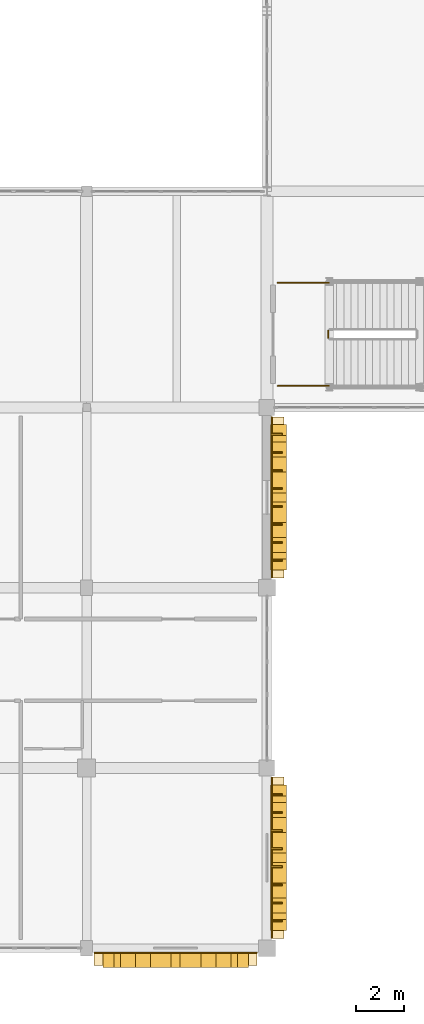
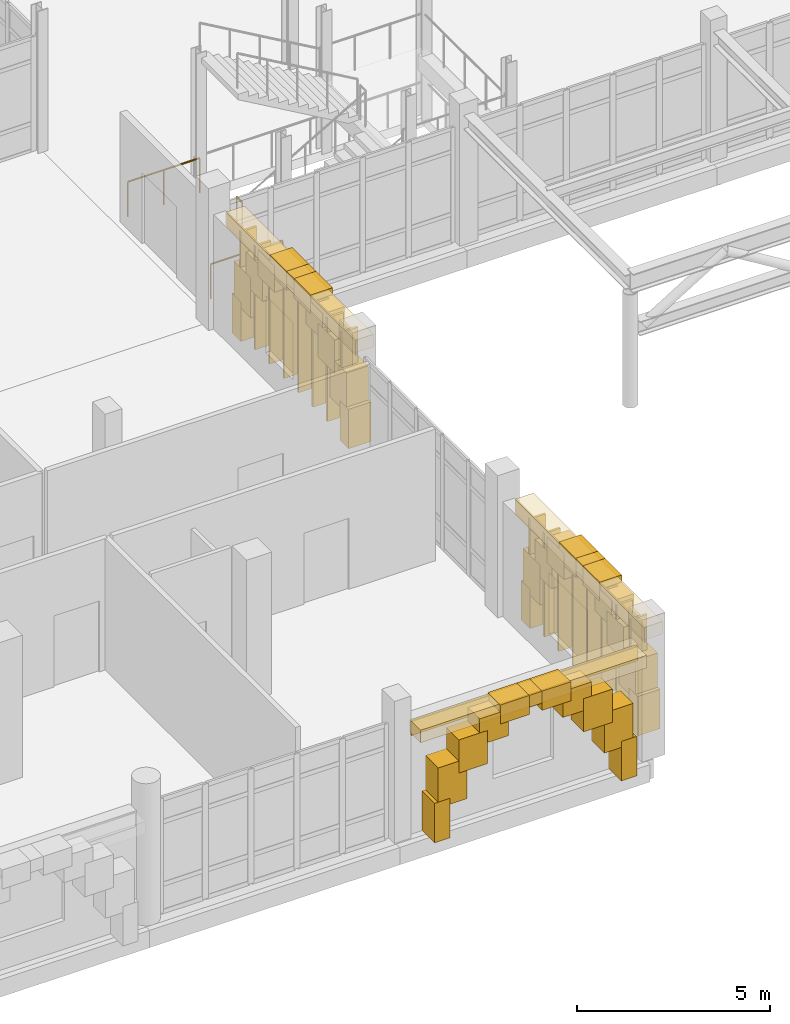
# One storey, part 109 of 128: 39 coverings, 16 shading devices, 3 railings.
"""IFC4 building model written with IfcOpenShell, lengths in metres."""

from ifc_helpers import new_model, si_unit, direction, frame, origin, origin_2d, place, context, subcontext, project, spatial, rectangle, circle, extrude, material, layer, layer_set, type_object, element, save


model = new_model("IFC4")

# Units and contexts
model_context = context("Model", 3, precision=1e-05, world=origin(), true_north=direction((0.0, 1.0)))
body_context = subcontext(model_context, "Body", "Model", "MODEL_VIEW")
ifc_project = project(units=[si_unit("LENGTHUNIT", "METRE"), si_unit("AREAUNIT", "SQUARE_METRE"), si_unit("VOLUMEUNIT", "CUBIC_METRE"), si_unit("PLANEANGLEUNIT", "RADIAN"), si_unit("MASSUNIT", "GRAM", prefix="KILO")], contexts=[model_context])

# Site, building, storey
site_placement = place(None, origin())
site = spatial("IfcSite", under=ifc_project, at=site_placement, CompositionType="ELEMENT")
building_placement = place(site_placement, origin())
building = spatial("IfcBuilding", under=site, at=building_placement, Name="Dalvernix Boulevard General Hospital", CompositionType="ELEMENT")
storey_placement = place(building_placement, frame((0.0, 0.0, 4.800048828125)))
storey = spatial("IfcBuildingStorey", under=building, at=storey_placement, Name="L01", CompositionType="ELEMENT", Elevation=4.800048828125)

# Coverings
ifc_material_1 = material(Name="Pressed Catalan clay brick and dressed limestone parabolic archivolt", Category="masonry")
ifc_layer_1 = layer(ifc_material_1, 0.419921875)
ifc_layer_set_1 = layer_set([ifc_layer_1], Name="Pressed Catalan clay brick and dressed limestone parabolic archivolt (COV-ARC-01)")
covering_type_1 = type_object("IfcCoveringType", Name="COV-ARC-01", PredefinedType="CLADDING", material=ifc_layer_set_1)
for number, where, z_axis, x_axis, name in (
    (1, (59.0, -0.485107421875, 0.0), (0.0, 0.0, 1.0), (-1.0, 0.0, 0.0), "L01 Catalan parabolic arch impost pier S 7-0-L"),
    (2, (53.39990234375, -0.485107421875, 0.0), (0.0, 0.0, 1.0), (-1.0, 0.0, 0.0), "L01 Catalan parabolic arch impost pier S 7-0-R"),
):
    element("IfcCovering", number, at=place(storey_placement, frame(where, z_axis=z_axis, x_axis=x_axis)), inside=storey, type_object=covering_type_1, Name=name, PredefinedType="CLADDING", context=body_context, shape_type="SweptSolid", body=[
        extrude(rectangle(XDim=0.4599609375, YDim=0.659912109375, at=origin_2d()), origin(), (0.0, 0.0, 1.0), 1.25),
    ])
covering_1_placement = place(storey_placement, frame((58.68896484375, -0.485107421875, 1.06005859375), z_axis=(0.0, 0.0, 1.0), x_axis=(-1.0, 0.0, 0.0)))
element("IfcCovering", 3, at=covering_1_placement, inside=storey, type_object=covering_type_1, Name="L01 Catalan parabolic archivolt voussoir S 7-0-1", PredefinedType="CLADDING", context=body_context, shape_type="SweptSolid", body=[
    extrude(rectangle(XDim=0.8623046875, YDim=0.659912109375, at=origin_2d()), origin(), (0.0, 0.0, 1.0), 1.272705078125),
])
covering_2_placement = place(storey_placement, frame((58.066650390625, -0.485107421875, 1.95263671875), z_axis=(0.0, 0.0, 1.0), x_axis=(-1.0, 0.0, 0.0)))
element("IfcCovering", 4, at=covering_2_placement, inside=storey, type_object=covering_type_1, Name="L01 Catalan parabolic archivolt voussoir S 7-0-2", PredefinedType="CLADDING", context=body_context, shape_type="SweptSolid", body=[
    extrude(rectangle(XDim=0.8623046875, YDim=0.659912109375, at=origin_2d()), origin(), (0.0, 0.0, 1.0), 1.049560546875),
])
covering_3_placement = place(storey_placement, frame((57.4443359375, -0.485107421875, 2.62255859375), z_axis=(0.0, 0.0, 1.0), x_axis=(-1.0, 0.0, 0.0)))
element("IfcCovering", 5, at=covering_3_placement, inside=storey, type_object=covering_type_1, Name="L01 Catalan parabolic archivolt voussoir S 7-0-3", PredefinedType="CLADDING", context=body_context, shape_type="SweptSolid", body=[
    extrude(rectangle(XDim=0.8623046875, YDim=0.659912109375, at=origin_2d()), origin(), (0.0, 0.0, 1.0), 0.826416015625),
])
covering_4_placement = place(storey_placement, frame((56.822265625, -0.485107421875, 3.06884765625), z_axis=(0.0, 0.0, 1.0), x_axis=(-1.0, 0.0, 0.0)))
element("IfcCovering", 6, at=covering_4_placement, inside=storey, type_object=covering_type_1, Name="L01 Catalan parabolic archivolt voussoir S 7-0-4", PredefinedType="CLADDING", context=body_context, shape_type="SweptSolid", body=[
    extrude(rectangle(XDim=0.8623046875, YDim=0.659912109375, at=origin_2d()), origin(), (0.0, 0.0, 1.0), 0.603271484375),
])
covering_5_placement = place(storey_placement, frame((56.199951171875, -0.485107421875, 3.2919921875), z_axis=(0.0, 0.0, 1.0), x_axis=(-1.0, 0.0, 0.0)))
element("IfcCovering", 7, at=covering_5_placement, inside=storey, type_object=covering_type_1, Name="L01 Catalan parabolic archivolt voussoir S 7-0-5", PredefinedType="CLADDING", context=body_context, shape_type="SweptSolid", body=[
    extrude(rectangle(XDim=0.8623046875, YDim=0.659912109375, at=origin_2d()), origin(), (0.0, 0.0, 1.0), 0.3798828125),
])
covering_6_placement = place(storey_placement, frame((55.577880859375, -0.485107421875, 3.06884765625), z_axis=(0.0, 0.0, 1.0), x_axis=(-1.0, 0.0, 0.0)))
element("IfcCovering", 8, at=covering_6_placement, inside=storey, type_object=covering_type_1, Name="L01 Catalan parabolic archivolt voussoir S 7-0-6", PredefinedType="CLADDING", context=body_context, shape_type="SweptSolid", body=[
    extrude(rectangle(XDim=0.8623046875, YDim=0.659912109375, at=origin_2d()), origin(), (0.0, 0.0, 1.0), 0.603271484375),
])
covering_7_placement = place(storey_placement, frame((54.95556640625, -0.485107421875, 2.62255859375), z_axis=(0.0, 0.0, 1.0), x_axis=(-1.0, 0.0, 0.0)))
element("IfcCovering", 9, at=covering_7_placement, inside=storey, type_object=covering_type_1, Name="L01 Catalan parabolic archivolt voussoir S 7-0-7", PredefinedType="CLADDING", context=body_context, shape_type="SweptSolid", body=[
    extrude(rectangle(XDim=0.8623046875, YDim=0.659912109375, at=origin_2d()), origin(), (0.0, 0.0, 1.0), 0.826416015625),
])
covering_8_placement = place(storey_placement, frame((54.333251953125, -0.485107421875, 1.95263671875), z_axis=(0.0, 0.0, 1.0), x_axis=(-1.0, 0.0, 0.0)))
element("IfcCovering", 10, at=covering_8_placement, inside=storey, type_object=covering_type_1, Name="L01 Catalan parabolic archivolt voussoir S 7-0-8", PredefinedType="CLADDING", context=body_context, shape_type="SweptSolid", body=[
    extrude(rectangle(XDim=0.8623046875, YDim=0.659912109375, at=origin_2d()), origin(), (0.0, 0.0, 1.0), 1.049560546875),
])
covering_9_placement = place(storey_placement, frame((53.711181640625, -0.485107421875, 1.06005859375), z_axis=(0.0, 0.0, 1.0), x_axis=(-1.0, 0.0, 0.0)))
element("IfcCovering", 11, at=covering_9_placement, inside=storey, type_object=covering_type_1, Name="L01 Catalan parabolic archivolt voussoir S 7-0-9", PredefinedType="CLADDING", context=body_context, shape_type="SweptSolid", body=[
    extrude(rectangle(XDim=0.8623046875, YDim=0.659912109375, at=origin_2d()), origin(), (0.0, 0.0, 1.0), 1.272705078125),
])
for number, where, z_axis, x_axis, name in (
    (12, (60.485107421875, 6.5625, 0.0), (0.0, 0.0, 1.0), (0.0, -1.0, 0.0), "L01 Catalan parabolic arch impost pier E 8-0-L"),
    (13, (60.485107421875, 0.96240234375, 0.0), (0.0, 0.0, 1.0), (0.0, -1.0, 0.0), "L01 Catalan parabolic arch impost pier E 8-0-R"),
):
    element("IfcCovering", number, at=place(storey_placement, frame(where, z_axis=z_axis, x_axis=x_axis)), inside=storey, type_object=covering_type_1, Name=name, PredefinedType="CLADDING", context=body_context, shape_type="SweptSolid", body=[
        extrude(rectangle(XDim=0.4599609375, YDim=0.659912109375, at=origin_2d()), origin(), (0.0, 0.0, 1.0), 1.25),
    ])
covering_10_placement = place(storey_placement, frame((60.485107421875, 6.25146484375, 1.06005859375), z_axis=(0.0, 0.0, 1.0), x_axis=(0.0, -1.0, 0.0)))
element("IfcCovering", 14, at=covering_10_placement, inside=storey, type_object=covering_type_1, Name="L01 Catalan parabolic archivolt voussoir E 8-0-1", PredefinedType="CLADDING", context=body_context, shape_type="SweptSolid", body=[
    extrude(rectangle(XDim=0.8623046875, YDim=0.659912109375, at=origin_2d()), origin(), (0.0, 0.0, 1.0), 1.272705078125),
])
covering_11_placement = place(storey_placement, frame((60.485107421875, 5.629150390625, 1.95263671875), z_axis=(0.0, 0.0, 1.0), x_axis=(0.0, -1.0, 0.0)))
element("IfcCovering", 15, at=covering_11_placement, inside=storey, type_object=covering_type_1, Name="L01 Catalan parabolic archivolt voussoir E 8-0-2", PredefinedType="CLADDING", context=body_context, shape_type="SweptSolid", body=[
    extrude(rectangle(XDim=0.8623046875, YDim=0.659912109375, at=origin_2d()), origin(), (0.0, 0.0, 1.0), 1.049560546875),
])
covering_12_placement = place(storey_placement, frame((60.485107421875, 5.0068359375, 2.62255859375), z_axis=(0.0, 0.0, 1.0), x_axis=(0.0, -1.0, 0.0)))
element("IfcCovering", 16, at=covering_12_placement, inside=storey, type_object=covering_type_1, Name="L01 Catalan parabolic archivolt voussoir E 8-0-3", PredefinedType="CLADDING", context=body_context, shape_type="SweptSolid", body=[
    extrude(rectangle(XDim=0.8623046875, YDim=0.659912109375, at=origin_2d()), origin(), (0.0, 0.0, 1.0), 0.826416015625),
])
covering_13_placement = place(storey_placement, frame((60.485107421875, 4.384765625, 3.06884765625), z_axis=(0.0, 0.0, 1.0), x_axis=(0.0, -1.0, 0.0)))
element("IfcCovering", 17, at=covering_13_placement, inside=storey, type_object=covering_type_1, Name="L01 Catalan parabolic archivolt voussoir E 8-0-4", PredefinedType="CLADDING", context=body_context, shape_type="SweptSolid", body=[
    extrude(rectangle(XDim=0.8623046875, YDim=0.659912109375, at=origin_2d()), origin(), (0.0, 0.0, 1.0), 0.603271484375),
])
covering_14_placement = place(storey_placement, frame((60.485107421875, 3.762451171875, 3.2919921875), z_axis=(0.0, 0.0, 1.0), x_axis=(0.0, -1.0, 0.0)))
element("IfcCovering", 18, at=covering_14_placement, inside=storey, type_object=covering_type_1, Name="L01 Catalan parabolic archivolt voussoir E 8-0-5", PredefinedType="CLADDING", context=body_context, shape_type="SweptSolid", body=[
    extrude(rectangle(XDim=0.8623046875, YDim=0.659912109375, at=origin_2d()), origin(), (0.0, 0.0, 1.0), 0.3798828125),
])
covering_15_placement = place(storey_placement, frame((60.485107421875, 3.140380859375, 3.06884765625), z_axis=(0.0, 0.0, 1.0), x_axis=(0.0, -1.0, 0.0)))
element("IfcCovering", 19, at=covering_15_placement, inside=storey, type_object=covering_type_1, Name="L01 Catalan parabolic archivolt voussoir E 8-0-6", PredefinedType="CLADDING", context=body_context, shape_type="SweptSolid", body=[
    extrude(rectangle(XDim=0.8623046875, YDim=0.659912109375, at=origin_2d()), origin(), (0.0, 0.0, 1.0), 0.603271484375),
])
covering_16_placement = place(storey_placement, frame((60.485107421875, 2.51806640625, 2.62255859375), z_axis=(0.0, 0.0, 1.0), x_axis=(0.0, -1.0, 0.0)))
element("IfcCovering", 20, at=covering_16_placement, inside=storey, type_object=covering_type_1, Name="L01 Catalan parabolic archivolt voussoir E 8-0-7", PredefinedType="CLADDING", context=body_context, shape_type="SweptSolid", body=[
    extrude(rectangle(XDim=0.8623046875, YDim=0.659912109375, at=origin_2d()), origin(), (0.0, 0.0, 1.0), 0.826416015625),
])
covering_17_placement = place(storey_placement, frame((60.485107421875, 1.895751953125, 1.95263671875), z_axis=(0.0, 0.0, 1.0), x_axis=(0.0, -1.0, 0.0)))
element("IfcCovering", 21, at=covering_17_placement, inside=storey, type_object=covering_type_1, Name="L01 Catalan parabolic archivolt voussoir E 8-0-8", PredefinedType="CLADDING", context=body_context, shape_type="SweptSolid", body=[
    extrude(rectangle(XDim=0.8623046875, YDim=0.659912109375, at=origin_2d()), origin(), (0.0, 0.0, 1.0), 1.049560546875),
])
covering_18_placement = place(storey_placement, frame((60.485107421875, 1.273681640625, 1.06005859375), z_axis=(0.0, 0.0, 1.0), x_axis=(0.0, -1.0, 0.0)))
element("IfcCovering", 22, at=covering_18_placement, inside=storey, type_object=covering_type_1, Name="L01 Catalan parabolic archivolt voussoir E 8-0-9", PredefinedType="CLADDING", context=body_context, shape_type="SweptSolid", body=[
    extrude(rectangle(XDim=0.8623046875, YDim=0.659912109375, at=origin_2d()), origin(), (0.0, 0.0, 1.0), 1.272705078125),
])
for number, where, z_axis, x_axis, name in (
    (23, (60.485107421875, 21.5625, 0.0), (0.0, 0.0, 1.0), (0.0, -1.0, 0.0), "L01 Catalan parabolic arch impost pier E 8-2-L"),
    (24, (60.485107421875, 15.96240234375, 0.0), (0.0, 0.0, 1.0), (0.0, -1.0, 0.0), "L01 Catalan parabolic arch impost pier E 8-2-R"),
):
    element("IfcCovering", number, at=place(storey_placement, frame(where, z_axis=z_axis, x_axis=x_axis)), inside=storey, type_object=covering_type_1, Name=name, PredefinedType="CLADDING", context=body_context, shape_type="SweptSolid", body=[
        extrude(rectangle(XDim=0.4599609375, YDim=0.659912109375, at=origin_2d()), origin(), (0.0, 0.0, 1.0), 1.25),
    ])
covering_19_placement = place(storey_placement, frame((60.485107421875, 21.25146484375, 1.06005859375), z_axis=(0.0, 0.0, 1.0), x_axis=(0.0, -1.0, 0.0)))
element("IfcCovering", 25, at=covering_19_placement, inside=storey, type_object=covering_type_1, Name="L01 Catalan parabolic archivolt voussoir E 8-2-1", PredefinedType="CLADDING", context=body_context, shape_type="SweptSolid", body=[
    extrude(rectangle(XDim=0.8623046875, YDim=0.659912109375, at=origin_2d()), origin(), (0.0, 0.0, 1.0), 1.272705078125),
])
covering_20_placement = place(storey_placement, frame((60.485107421875, 20.629150390625, 1.95263671875), z_axis=(0.0, 0.0, 1.0), x_axis=(0.0, -1.0, 0.0)))
element("IfcCovering", 26, at=covering_20_placement, inside=storey, type_object=covering_type_1, Name="L01 Catalan parabolic archivolt voussoir E 8-2-2", PredefinedType="CLADDING", context=body_context, shape_type="SweptSolid", body=[
    extrude(rectangle(XDim=0.8623046875, YDim=0.659912109375, at=origin_2d()), origin(), (0.0, 0.0, 1.0), 1.049560546875),
])
covering_21_placement = place(storey_placement, frame((60.485107421875, 20.0068359375, 2.62255859375), z_axis=(0.0, 0.0, 1.0), x_axis=(0.0, -1.0, 0.0)))
element("IfcCovering", 27, at=covering_21_placement, inside=storey, type_object=covering_type_1, Name="L01 Catalan parabolic archivolt voussoir E 8-2-3", PredefinedType="CLADDING", context=body_context, shape_type="SweptSolid", body=[
    extrude(rectangle(XDim=0.8623046875, YDim=0.659912109375, at=origin_2d()), origin(), (0.0, 0.0, 1.0), 0.826416015625),
])
covering_22_placement = place(storey_placement, frame((60.485107421875, 19.384765625, 3.06884765625), z_axis=(0.0, 0.0, 1.0), x_axis=(0.0, -1.0, 0.0)))
element("IfcCovering", 28, at=covering_22_placement, inside=storey, type_object=covering_type_1, Name="L01 Catalan parabolic archivolt voussoir E 8-2-4", PredefinedType="CLADDING", context=body_context, shape_type="SweptSolid", body=[
    extrude(rectangle(XDim=0.8623046875, YDim=0.659912109375, at=origin_2d()), origin(), (0.0, 0.0, 1.0), 0.603271484375),
])
covering_23_placement = place(storey_placement, frame((60.485107421875, 18.762451171875, 3.2919921875), z_axis=(0.0, 0.0, 1.0), x_axis=(0.0, -1.0, 0.0)))
element("IfcCovering", 29, at=covering_23_placement, inside=storey, type_object=covering_type_1, Name="L01 Catalan parabolic archivolt voussoir E 8-2-5", PredefinedType="CLADDING", context=body_context, shape_type="SweptSolid", body=[
    extrude(rectangle(XDim=0.8623046875, YDim=0.659912109375, at=origin_2d()), origin(), (0.0, 0.0, 1.0), 0.3798828125),
])
covering_24_placement = place(storey_placement, frame((60.485107421875, 18.140380859375, 3.06884765625), z_axis=(0.0, 0.0, 1.0), x_axis=(0.0, -1.0, 0.0)))
element("IfcCovering", 30, at=covering_24_placement, inside=storey, type_object=covering_type_1, Name="L01 Catalan parabolic archivolt voussoir E 8-2-6", PredefinedType="CLADDING", context=body_context, shape_type="SweptSolid", body=[
    extrude(rectangle(XDim=0.8623046875, YDim=0.659912109375, at=origin_2d()), origin(), (0.0, 0.0, 1.0), 0.603271484375),
])
covering_25_placement = place(storey_placement, frame((60.485107421875, 17.51806640625, 2.62255859375), z_axis=(0.0, 0.0, 1.0), x_axis=(0.0, -1.0, 0.0)))
element("IfcCovering", 31, at=covering_25_placement, inside=storey, type_object=covering_type_1, Name="L01 Catalan parabolic archivolt voussoir E 8-2-7", PredefinedType="CLADDING", context=body_context, shape_type="SweptSolid", body=[
    extrude(rectangle(XDim=0.8623046875, YDim=0.659912109375, at=origin_2d()), origin(), (0.0, 0.0, 1.0), 0.826416015625),
])
covering_26_placement = place(storey_placement, frame((60.485107421875, 16.895751953125, 1.95263671875), z_axis=(0.0, 0.0, 1.0), x_axis=(0.0, -1.0, 0.0)))
element("IfcCovering", 32, at=covering_26_placement, inside=storey, type_object=covering_type_1, Name="L01 Catalan parabolic archivolt voussoir E 8-2-8", PredefinedType="CLADDING", context=body_context, shape_type="SweptSolid", body=[
    extrude(rectangle(XDim=0.8623046875, YDim=0.659912109375, at=origin_2d()), origin(), (0.0, 0.0, 1.0), 1.049560546875),
])
covering_27_placement = place(storey_placement, frame((60.485107421875, 16.273681640625, 1.06005859375), z_axis=(0.0, 0.0, 1.0), x_axis=(0.0, -1.0, 0.0)))
element("IfcCovering", 33, at=covering_27_placement, inside=storey, type_object=covering_type_1, Name="L01 Catalan parabolic archivolt voussoir E 8-2-9", PredefinedType="CLADDING", context=body_context, shape_type="SweptSolid", body=[
    extrude(rectangle(XDim=0.8623046875, YDim=0.659912109375, at=origin_2d()), origin(), (0.0, 0.0, 1.0), 1.272705078125),
])
ifc_material_2 = material(Name="Polychrome Catalan glazed ceramic spandrel tile panel")
ifc_layer_2 = layer(ifc_material_2, 0.044921875)
ifc_layer_set_2 = layer_set([ifc_layer_2], Name="Polychrome Catalan glazed ceramic spandrel tile panel (COV-CLD-01)")
covering_type_2 = type_object("IfcCoveringType", Name="COV-CLD-01", PredefinedType="CLADDING", material=ifc_layer_set_2)
covering_28_placement = place(storey_placement, frame((56.199951171875, -0.195068359375, 3.15478515625), z_axis=(0.0, 0.0, 1.0), x_axis=(-1.0, 0.0, 0.0)))
element("IfcCovering", 34, at=covering_28_placement, inside=storey, type_object=covering_type_2, Name="L01 polychrome ceramic spandrel S 7-0", PredefinedType="CLADDING", context=body_context, shape_type="SweptSolid", body=[
    extrude(rectangle(XDim=6.780029296875, YDim=0.044921875, at=origin_2d()), origin(), (0.0, 0.0, 1.0), 0.449951171875),
])
for number, where, z_axis, x_axis, name in (
    (35, (60.195068359375, 3.762451171875, 3.15478515625), (0.0, 0.0, 1.0), (0.0, -1.0, 0.0), "L01 polychrome ceramic spandrel E 8-0"),
    (36, (60.195068359375, 18.762451171875, 3.15478515625), (0.0, 0.0, 1.0), (0.0, -1.0, 0.0), "L01 polychrome ceramic spandrel E 8-2"),
):
    element("IfcCovering", number, at=place(storey_placement, frame(where, z_axis=z_axis, x_axis=x_axis)), inside=storey, type_object=covering_type_2, Name=name, PredefinedType="CLADDING", context=body_context, shape_type="SweptSolid", body=[
        extrude(rectangle(XDim=6.705078125, YDim=0.044921875, at=origin_2d()), origin(), (0.0, 0.0, 1.0), 0.449951171875),
    ])
ifc_material_3 = material(Name="Dressed ochre limestone classical plinth, stringcourse and corbelled cornice", Category="masonry")
ifc_layer_3 = layer(ifc_material_3, 0.449951171875)
ifc_layer_set_3 = layer_set([ifc_layer_3], Name="Dressed ochre limestone classical plinth, stringcourse and corbelled cornice (COV-CRN-01)")
covering_type_3 = type_object("IfcCoveringType", Name="COV-CRN-01", PredefinedType="CLADDING", material=ifc_layer_set_3)
covering_29_placement = place(storey_placement, frame((56.199951171875, -0.43505859375, 3.22998046875), z_axis=(0.0, 0.0, 1.0), x_axis=(-1.0, 0.0, 0.0)))
element("IfcCovering", 37, at=covering_29_placement, inside=storey, type_object=covering_type_3, Name="L01 classical corbelled cornice frieze S 7-0", PredefinedType="CLADDING", context=body_context, shape_type="SweptSolid", body=[
    extrude(rectangle(XDim=6.780029296875, YDim=0.56005859375, at=origin_2d()), origin(), (0.0, 0.0, 1.0), 0.39990234375),
])
for number, where, z_axis, x_axis, name in (
    (38, (60.43505859375, 3.762451171875, 3.22998046875), (0.0, 0.0, 1.0), (0.0, -1.0, 0.0), "L01 classical corbelled cornice frieze E 8-0"),
    (39, (60.43505859375, 18.762451171875, 3.22998046875), (0.0, 0.0, 1.0), (0.0, -1.0, 0.0), "L01 classical corbelled cornice frieze E 8-2"),
):
    element("IfcCovering", number, at=place(storey_placement, frame(where, z_axis=z_axis, x_axis=x_axis)), inside=storey, type_object=covering_type_3, Name=name, PredefinedType="CLADDING", context=body_context, shape_type="SweptSolid", body=[
        extrude(rectangle(XDim=6.705078125, YDim=0.56005859375, at=origin_2d()), origin(), (0.0, 0.0, 1.0), 0.39990234375),
    ])

# Railings
ifc_material_4 = material(Name="Brushed stainless steel balustrade", Category="steel")
railing_type = type_object("IfcRailingType", Name="RL-GR-INT1", PredefinedType="BALUSTRADE", material=ifc_material_4)
railing_placement = place(storey_placement, frame((62.550048828125, 25.39990234375, 0.0)))
element("IfcRailing", 40, at=railing_placement, inside=storey, type_object=railing_type, Name="L01 ST-07 stair guard 7", PredefinedType="BALUSTRADE", context=body_context, shape_type="SweptSolid", body=[
    extrude(circle(Radius=0.02392578125, at=origin_2d()), frame((0.0, 0.0, 1.09619140625), z_axis=(0.0, 1.0, 0.0), x_axis=(-1.0, 0.0, 0.0)), (0.0, 0.0, 1.0), 0.300048828125),
    extrude(circle(Radius=0.02099609375, at=origin_2d()), origin(), (0.0, 0.0, 1.0), 1.072021484375),
    extrude(circle(Radius=0.02099609375, at=origin_2d()), frame((0.0, 0.300048828125, 0.0)), (0.0, 0.0, 1.0), 1.072021484375),
])
for number, where, name in (
    (41, (60.449951171875, 23.39990234375, 0.0), "L01 ST-07 stair guard 8"),
    (42, (60.449951171875, 27.699951171875, 0.0), "L01 ST-07 stair guard 9"),
):
    element("IfcRailing", number, at=place(storey_placement, frame(where)), inside=storey, type_object=railing_type, Name=name, PredefinedType="BALUSTRADE", context=body_context, shape_type="SweptSolid", body=[
        extrude(circle(Radius=0.02392578125, at=origin_2d()), frame((0.0, 0.0, 1.09619140625), z_axis=(1.0, 0.0, 0.0), x_axis=(0.0, 1.0, 0.0)), (0.0, 0.0, 1.0), 2.150146484375),
        extrude(circle(Radius=0.02099609375, at=origin_2d()), origin(), (0.0, 0.0, 1.0), 1.072021484375),
        extrude(circle(Radius=0.02099609375, at=origin_2d()), frame((1.0751953125, 0.0, 0.0)), (0.0, 0.0, 1.0), 1.072021484375),
        extrude(circle(Radius=0.02099609375, at=origin_2d()), frame((2.150146484375, 0.0, 0.0)), (0.0, 0.0, 1.0), 1.072021484375),
    ])

# Shading devices
ifc_material_5 = material(Name="Preservative-treated West African iroko timber", Category="wood")
shading_device_type = type_object("IfcShadingDeviceType", Name="SHD-FIN-01", PredefinedType="USERDEFINED", material=ifc_material_5)
for number, where, z_axis, x_axis, name in (
    (43, (60.405029296875, 6.387451171875, 0.1748046875), (0.0, 0.0, 1.0), (0.0, -1.0, 0.0), "L01 iroko brise-soleil fin 1"),
    (44, (60.405029296875, 5.637451171875, 0.1748046875), (0.0, 0.0, 1.0), (0.0, -1.0, 0.0), "L01 iroko brise-soleil fin 2"),
    (45, (60.405029296875, 4.887451171875, 0.1748046875), (0.0, 0.0, 1.0), (0.0, -1.0, 0.0), "L01 iroko brise-soleil fin 3"),
    (46, (60.405029296875, 4.137451171875, 0.1748046875), (0.0, 0.0, 1.0), (0.0, -1.0, 0.0), "L01 iroko brise-soleil fin 4"),
    (47, (60.405029296875, 3.387451171875, 0.1748046875), (0.0, 0.0, 1.0), (0.0, -1.0, 0.0), "L01 iroko brise-soleil fin 5"),
    (48, (60.405029296875, 2.637451171875, 0.1748046875), (0.0, 0.0, 1.0), (0.0, -1.0, 0.0), "L01 iroko brise-soleil fin 6"),
    (49, (60.405029296875, 1.887451171875, 0.1748046875), (0.0, 0.0, 1.0), (0.0, -1.0, 0.0), "L01 iroko brise-soleil fin 7"),
    (50, (60.405029296875, 1.137451171875, 0.1748046875), (0.0, 0.0, 1.0), (0.0, -1.0, 0.0), "L01 iroko brise-soleil fin 8"),
    (51, (60.405029296875, 21.387451171875, 0.1748046875), (0.0, 0.0, 1.0), (0.0, -1.0, 0.0), "L01 iroko brise-soleil fin 1"),
    (52, (60.405029296875, 20.637451171875, 0.1748046875), (0.0, 0.0, 1.0), (0.0, -1.0, 0.0), "L01 iroko brise-soleil fin 2"),
    (53, (60.405029296875, 19.887451171875, 0.1748046875), (0.0, 0.0, 1.0), (0.0, -1.0, 0.0), "L01 iroko brise-soleil fin 3"),
    (54, (60.405029296875, 19.137451171875, 0.1748046875), (0.0, 0.0, 1.0), (0.0, -1.0, 0.0), "L01 iroko brise-soleil fin 4"),
    (55, (60.405029296875, 18.387451171875, 0.1748046875), (0.0, 0.0, 1.0), (0.0, -1.0, 0.0), "L01 iroko brise-soleil fin 5"),
    (56, (60.405029296875, 17.637451171875, 0.1748046875), (0.0, 0.0, 1.0), (0.0, -1.0, 0.0), "L01 iroko brise-soleil fin 6"),
    (57, (60.405029296875, 16.887451171875, 0.1748046875), (0.0, 0.0, 1.0), (0.0, -1.0, 0.0), "L01 iroko brise-soleil fin 7"),
    (58, (60.405029296875, 16.137451171875, 0.1748046875), (0.0, 0.0, 1.0), (0.0, -1.0, 0.0), "L01 iroko brise-soleil fin 8"),
):
    element("IfcShadingDevice", number, at=place(storey_placement, frame(where, z_axis=z_axis, x_axis=x_axis)), inside=storey, type_object=shading_device_type, Name=name, ObjectType="FIN", PredefinedType="USERDEFINED", context=body_context, shape_type="SweptSolid", body=[
        extrude(rectangle(XDim=0.06494140625, YDim=0.47998046875, at=origin_2d()), origin(), (0.0, 0.0, 1.0), 3.280029296875),
    ])

save(model, "model.ifc")
